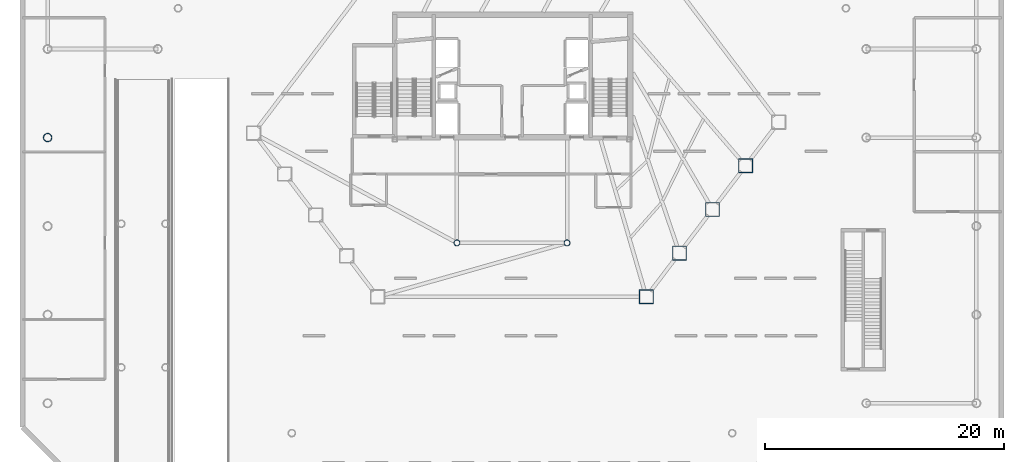
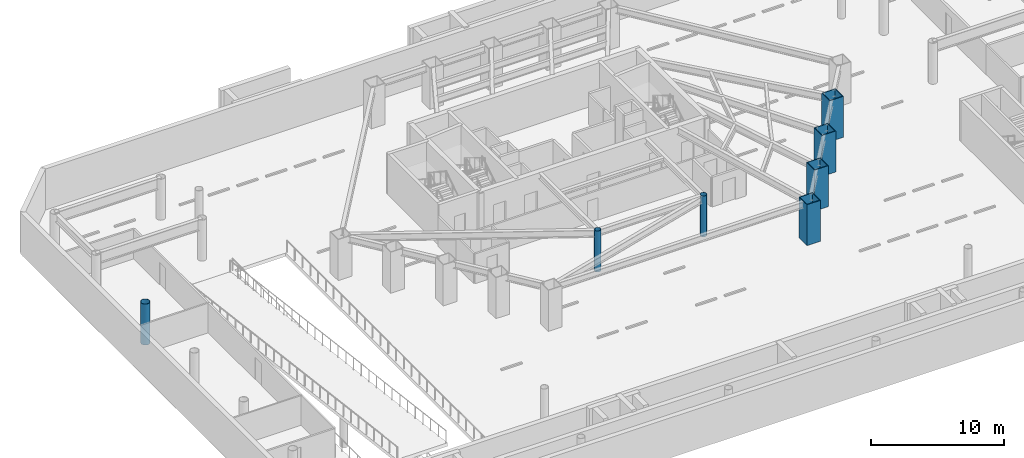
# One storey, part 2 of 15: 7 columns.
"""IFC4 building model written with IfcOpenShell, lengths in metres."""

from ifc_helpers import new_model, si_unit, direction, frame, origin, origin_2d, place, context, subcontext, project, spatial, hollow_rectangle, hollow_circle, extrude, material, material_profile, profile_set, type_object, element, save


model = new_model("IFC4")

# Units and contexts
model_context = context("Model", 3, precision=1e-05, world=origin(), true_north=direction((0.0, 1.0)))
body_context = subcontext(model_context, "Body", "Model", "MODEL_VIEW")
ifc_project = project(units=[si_unit("LENGTHUNIT", "METRE"), si_unit("AREAUNIT", "SQUARE_METRE"), si_unit("VOLUMEUNIT", "CUBIC_METRE"), si_unit("PLANEANGLEUNIT", "RADIAN"), si_unit("MASSUNIT", "GRAM", prefix="KILO")], contexts=[model_context])

# Site, building, storey
site_placement = place(None, origin())
site = spatial("IfcSite", under=ifc_project, at=site_placement, CompositionType="ELEMENT")
building_placement = place(site_placement, origin())
building = spatial("IfcBuilding", under=site, at=building_placement, Name="Zarrinselat Tower", CompositionType="ELEMENT")
storey_placement = place(building_placement, frame((0.0, 0.0, -4.080078125)))
storey = spatial("IfcBuildingStorey", under=building, at=storey_placement, Name="B01", CompositionType="ELEMENT", Elevation=-4.080078125)

# Columns
ifc_material_1 = material(Name="Steel S355J2", Category="steel")
ifc_material_profile_1 = material_profile(ifc_material_1, hollow_circle(Radius=0.25390625, WallThickness=0.02001953125, at=origin_2d()), Name="CHS 508x20")
ifc_profile_set_1 = profile_set([ifc_material_profile_1], Name="Steel S355J2")
column_type_1 = type_object("IfcColumnType", Name="COL-CHS508", PredefinedType="COLUMN", material=ifc_profile_set_1)
for number, where, z_axis, x_axis, name in (
    (1, (33.800048828125, 24.39990234375, 0.0), (0.0, 0.0, 1.0), (1.0, 0.0, 0.0), "B01 Atrium Corner Column 1"),
    (2, (43.0, 24.39990234375, 0.0), (0.0, 0.0, 1.0), (1.0, 0.0, 0.0), "B01 Atrium Corner Column 2"),
):
    element("IfcColumn", number, at=place(storey_placement, frame(where, z_axis=z_axis, x_axis=x_axis)), inside=storey, type_object=column_type_1, Name=name, PredefinedType="COLUMN", context=body_context, shape_type="SweptSolid", body=[
        extrude(hollow_circle(Radius=0.25390625, WallThickness=0.02001953125, at=origin_2d()), origin(), (0.0, 0.0, 1.0), 3.760009765625),
    ])
ifc_material_2 = material(Name="Steel S460M", Category="steel")
ifc_material_profile_2 = material_profile(ifc_material_2, hollow_circle(Radius=0.35546875, WallThickness=0.030029296875, at=origin_2d()), Name="CHS 711x30")
ifc_profile_set_2 = profile_set([ifc_material_profile_2], Name="Steel S460M")
column_type_2 = type_object("IfcColumnType", Name="COL-CHS711", PredefinedType="COLUMN", material=ifc_profile_set_2)
column_placement = place(storey_placement, frame((-0.39990234375, 33.199951171875, 0.0), z_axis=(0.0, 0.0, 1.0), x_axis=(1.0, 0.0, 0.0)))
element("IfcColumn", 3, at=column_placement, inside=storey, type_object=column_type_2, Name="B01 Lower Podium Column 04", PredefinedType="COLUMN", context=body_context, shape_type="SweptSolid", body=[
    extrude(hollow_circle(Radius=0.35546875, WallThickness=0.030029296875, at=origin_2d()), origin(), (0.0, 0.0, 1.0), 3.760009765625),
])
ifc_material_3 = material(Name="Steel S460M", Category="steel")
ifc_material_profile_3 = material_profile(ifc_material_3, hollow_rectangle(XDim=1.199951171875, YDim=1.199951171875, WallThickness=0.06005859375, at=origin_2d()), Name="SHS 1200x1200x60")
ifc_profile_set_3 = profile_set([ifc_material_profile_3], Name="Steel S460M")
column_type_3 = type_object("IfcColumnType", Name="COL-SHS1200", PredefinedType="COLUMN", material=ifc_profile_set_3)
for number, where, z_axis, x_axis, name in (
    (4, (49.626953125, 19.89599609375, 0.0), (0.0, 0.0, 1.0), (1.0, 0.0, 0.0), "B01 Framed-Tube Column T11"),
    (5, (52.391357421875, 23.544921875, 0.0), (0.0, 0.0, 1.0), (1.0, 0.0, 0.0), "B01 Framed-Tube Column T12"),
    (6, (55.15576171875, 27.194091796875, 0.0), (0.0, 0.0, 1.0), (1.0, 0.0, 0.0), "B01 Framed-Tube Column T13"),
    (7, (57.920166015625, 30.843017578125, 0.0), (0.0, 0.0, 1.0), (1.0, 0.0, 0.0), "B01 Framed-Tube Column T14"),
):
    element("IfcColumn", number, at=place(storey_placement, frame(where, z_axis=z_axis, x_axis=x_axis)), inside=storey, type_object=column_type_3, Name=name, PredefinedType="COLUMN", context=body_context, shape_type="SweptSolid", body=[
        extrude(hollow_rectangle(XDim=1.199951171875, YDim=1.199951171875, WallThickness=0.06005859375, at=origin_2d()), origin(), (0.0, 0.0, 1.0), 3.760009765625),
    ])

save(model, "model.ifc")
